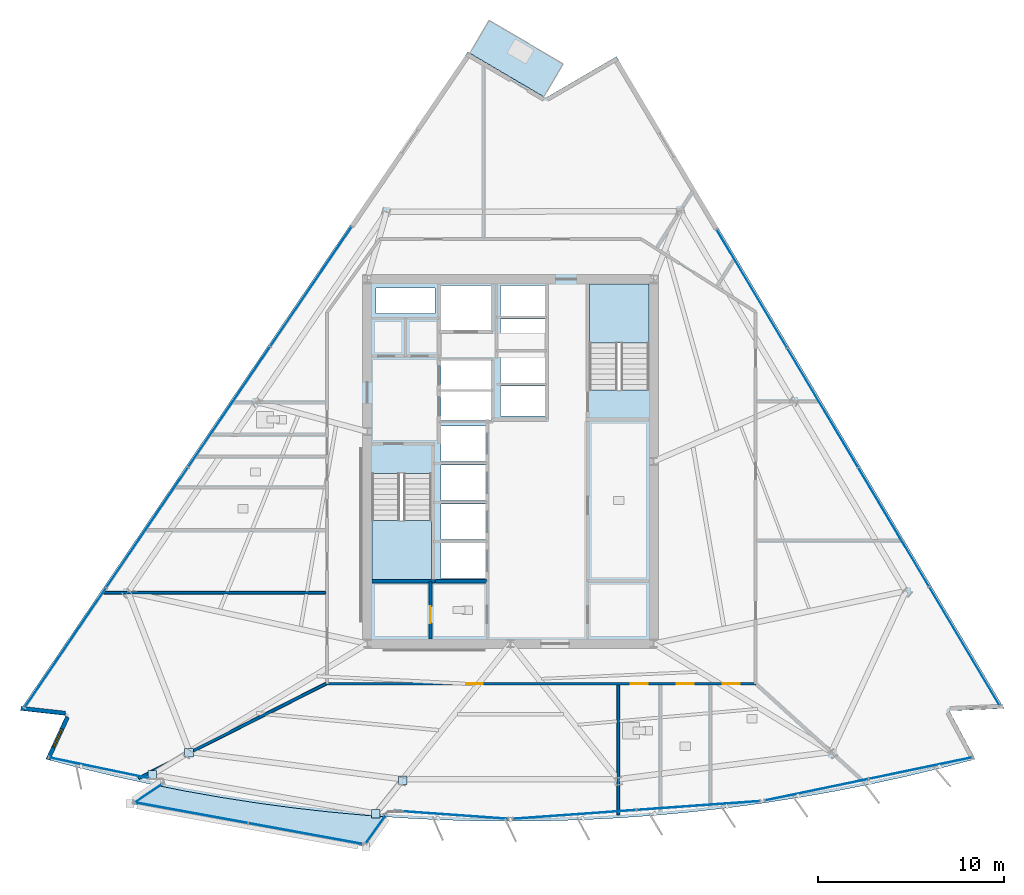
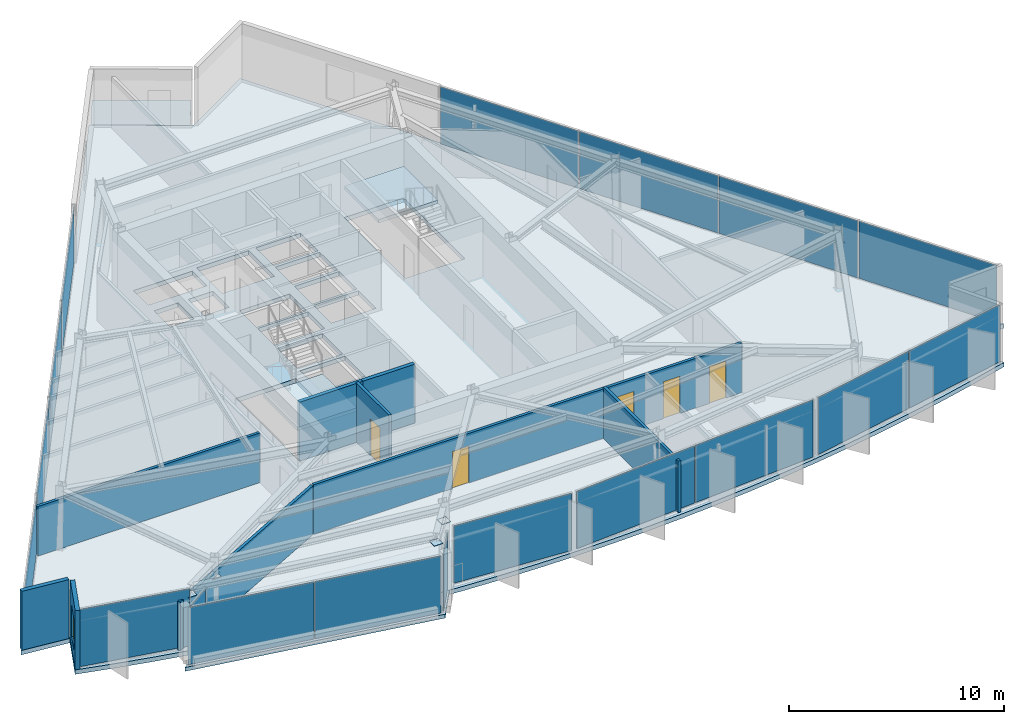
# One storey, part 7 of 14: 22 plates, 9 walls, 5 doors, 5 slabs, 1 window, 6 openings, 11 elements without a shape of their own.
"""IFC4 building model written with IfcOpenShell, lengths in metres."""

import ifcopenshell
import ifcopenshell.guid

model = None  # the IFC model being written
_history = None  # IfcOwnerHistory: only IFC2X3 demands one
_inside = {}  # id of a spatial element -> (the spatial element, [elements in it])
_under = {}  # id of a project, library or spatial element -> (it, [spatial elements below it])
_declared = {}  # id of a project -> (the project, [libraries it declares])
_typed = {}  # id of a type object -> (the type object, [elements of that type])
_made_of = {}  # id of a material, layer set ... -> (it, [elements and type objects made of it])


def new_model(schema):
    """Start an empty IFC model of exactly this schema.

    Asked for "IFC4X3", IfcOpenShell would pick the latest addendum, in which some entities
    have other attributes; the version numbers below select the first issue.
    IFC2X3 requires an IfcOwnerHistory on every rooted entity: one is made here for all.
    """
    global model, _history
    if schema == "IFC4X3":
        model = ifcopenshell.file(schema_version=(4, 3, 0, 0))
    else:
        model = ifcopenshell.file(schema=schema)
    _inside.clear()
    _under.clear()
    _declared.clear()
    _typed.clear()
    _made_of.clear()
    _history = None
    if model.schema == "IFC2X3":
        org = make("IfcOrganization", Name="unknown")
        user = make(
            "IfcPersonAndOrganization",
            ThePerson=make("IfcPerson", FamilyName="unknown"),
            TheOrganization=org,
        )
        app = make(
            "IfcApplication",
            ApplicationDeveloper=org,
            Version="unknown",
            ApplicationFullName="unknown",
            ApplicationIdentifier="unknown",
        )
        _history = make(
            "IfcOwnerHistory",
            OwningUser=user,
            OwningApplication=app,
            ChangeAction="ADDED",
            CreationDate=0,
        )
    return model


def make(cls, **values):
    """One entity of the class cls with the attributes given. An attribute that is None is left unset."""
    return model.create_entity(
        cls, **{name: value for name, value in values.items() if value is not None}
    )


def rooted(cls, **values):
    """An entity with a GlobalId (a new one), such as an element, a storey or a relation."""
    return make(cls, GlobalId=ifcopenshell.guid.new(), OwnerHistory=_history, **values)


def si_unit(unit_type, name, prefix=None):
    """IfcSIUnit, for example si_unit("LENGTHUNIT", "METRE", prefix="MILLI")."""
    return make("IfcSIUnit", UnitType=unit_type, Prefix=prefix, Name=name)


def assignment(units):
    """IfcUnitAssignment: the units of a project."""
    return None if units is None else make("IfcUnitAssignment", Units=units)


def point(xyz):
    """IfcCartesianPoint."""
    return None if xyz is None else make("IfcCartesianPoint", Coordinates=xyz)


def direction(xyz):
    """IfcDirection."""
    return None if xyz is None else make("IfcDirection", DirectionRatios=xyz)


def frame(location, z_axis=None, x_axis=None):
    """IfcAxis2Placement3D, a coordinate frame: its origin and axes. An axis left out is left unset."""
    return make(
        "IfcAxis2Placement3D",
        Location=point(location),
        Axis=direction(z_axis),
        RefDirection=direction(x_axis),
    )


def frame_2d(location, x_axis=None):
    """IfcAxis2Placement2D, a coordinate frame in the plane: its origin and x axis."""
    return make(
        "IfcAxis2Placement2D", Location=point(location), RefDirection=direction(x_axis)
    )


def origin():
    """The frame at (0, 0, 0) with its axes left unset."""
    return frame((0.0, 0.0, 0.0))


def origin_2d():
    """The frame at (0, 0) in the plane with its x axis left unset."""
    return frame_2d((0.0, 0.0))


def place(relative_to, where):
    """IfcLocalPlacement: puts the frame where relative to a parent placement (None: the world)."""
    return make(
        "IfcLocalPlacement", PlacementRelTo=relative_to, RelativePlacement=where
    )


def context(
    kind, dimensions, precision=None, world=None, true_north=None, identifier=None
):
    """IfcGeometricRepresentationContext, for example the 3D "Model" context."""
    return make(
        "IfcGeometricRepresentationContext",
        ContextIdentifier=identifier,
        ContextType=kind,
        CoordinateSpaceDimension=dimensions,
        Precision=precision,
        WorldCoordinateSystem=world,
        TrueNorth=true_north,
    )


def subcontext(parent, identifier, kind, view, scale=None):
    """IfcGeometricRepresentationSubContext, for example "Body" below "Model"."""
    return make(
        "IfcGeometricRepresentationSubContext",
        ContextIdentifier=identifier,
        ContextType=kind,
        ParentContext=parent,
        TargetScale=scale,
        TargetView=view,
    )


def project(units=None, contexts=None):
    """IfcProject with its units and contexts."""
    return rooted(
        "IfcProject",
        Name="project",
        RepresentationContexts=contexts,
        UnitsInContext=assignment(units),
    )


def spatial(cls, under=None, at=None, **own):
    """A site, building, storey or space (cls), placed at a placement, below another one or the project."""
    s = rooted(cls, ObjectPlacement=at, **own)
    if under is not None:
        _under.setdefault(under.id(), (under, []))[1].append(s)
    return s


def polyline(points):
    """IfcPolyline through the points."""
    return make("IfcPolyline", Points=[point(p) for p in points])


def profile(cls, at=None, kind="AREA", **sizes):
    """A parametric profile (cls). Its sizes go by their IFC names, for example OverallWidth=200.0."""
    return make(cls, ProfileType=kind, Position=at, **sizes)


def rectangle(**sizes):
    """IfcRectangleProfileDef."""
    return profile("IfcRectangleProfileDef", **sizes)


def outline(outer, holes=None, kind="AREA"):
    """IfcArbitraryClosedProfileDef: a profile drawn as a closed curve; with holes, ...WithVoids."""
    if holes is None:
        return make("IfcArbitraryClosedProfileDef", ProfileType=kind, OuterCurve=outer)
    return make(
        "IfcArbitraryProfileDefWithVoids",
        ProfileType=kind,
        OuterCurve=outer,
        InnerCurves=holes,
    )


def extrude(swept, where, along, depth):
    """IfcExtrudedAreaSolid: the profile swept, set in the frame where, extruded along a direction by depth."""
    return make(
        "IfcExtrudedAreaSolid",
        SweptArea=swept,
        Position=where,
        ExtrudedDirection=direction(along),
        Depth=depth,
    )


def shape(context_of_items, identifier, shape_type, items):
    """IfcShapeRepresentation: the items that make up one representation, for example the "Body"."""
    return make(
        "IfcShapeRepresentation",
        ContextOfItems=context_of_items,
        RepresentationIdentifier=identifier,
        RepresentationType=shape_type,
        Items=items,
    )


def material(Name=None, Category=None):
    """IfcMaterial."""
    return make("IfcMaterial", Name=Name, Category=Category)


def layer(
    of_material, thickness, ventilated=None, Name=None, Category=None, Priority=None
):
    """IfcMaterialLayer: one layer of a wall or slab, of a material (None: an air gap)."""
    return make(
        "IfcMaterialLayer",
        Material=of_material,
        LayerThickness=thickness,
        IsVentilated=ventilated,
        Name=Name,
        Category=Category,
        Priority=Priority,
    )


def layer_set(layers, Name=None):
    """IfcMaterialLayerSet."""
    return make("IfcMaterialLayerSet", MaterialLayers=layers, LayerSetName=Name)


def made_of(thing, what):
    """Note that an element or type object is made of a material, layer set ...; save() writes the relation."""
    if what is not None:
        _made_of.setdefault(what.id(), (what, []))[1].append(thing)
    return thing


def type_object(cls, material=None, **own):
    """A type object (cls), such as IfcWallType, which elements share."""
    return made_of(rooted(cls, **own), material)


def element(
    cls,
    number,
    at=None,
    inside=None,
    cuts=None,
    type_object=None,
    material=None,
    context=None,
    identifier="Body",
    shape_type=None,
    held_by="IfcProductDefinitionShape",
    body=None,
    shapes=None,
    **own,
):
    """One element of the class cls, such as IfcWall. Its Tag is "e" and its number.

    at: its placement. inside: the storey or other place that contains it. cuts: it is an
    opening in that element (IfcRelVoidsElement). A single representation is given by context,
    identifier, shape_type and body (its items); several are given by shapes. held_by: the class
    of the entity that holds the representations. save() writes the other relations.
    """
    e = rooted(cls, Tag="e%d" % number, ObjectPlacement=at, **own)
    if body is not None:
        shapes = [shape(context, identifier, shape_type, body)]
    if shapes is not None:
        e.Representation = make(held_by, Representations=shapes)
    if inside is not None:
        _inside.setdefault(inside.id(), (inside, []))[1].append(e)
    if cuts is not None:
        rooted(
            "IfcRelVoidsElement", RelatingBuildingElement=cuts, RelatedOpeningElement=e
        )
    if type_object is not None:
        _typed.setdefault(type_object.id(), (type_object, []))[1].append(e)
    return made_of(e, material)


def fill(opening, filler):
    """IfcRelFillsElement: the door or window that sits in an opening."""
    return rooted(
        "IfcRelFillsElement",
        RelatingOpeningElement=opening,
        RelatedBuildingElement=filler,
    )


def aggregate(whole, parts):
    """IfcRelAggregates: a whole, such as a stair, and the parts it consists of."""
    return rooted("IfcRelAggregates", RelatingObject=whole, RelatedObjects=parts)


def save(model, path):
    """Write the relations noted so far, then the file.

    IfcRelAggregates (storeys below a building ...), IfcRelContainedInSpatialStructure (elements
    in a storey), IfcRelDefinesByType, IfcRelAssociatesMaterial and IfcRelDeclares: one each for
    every whole, place, type object, material and project.
    """
    for whole, parts in _under.values():
        aggregate(whole, parts)
    for where, things in _inside.values():
        rooted(
            "IfcRelContainedInSpatialStructure",
            RelatedElements=things,
            RelatingStructure=where,
        )
    for kind, things in _typed.values():
        rooted("IfcRelDefinesByType", RelatedObjects=things, RelatingType=kind)
    for what, things in _made_of.values():
        rooted("IfcRelAssociatesMaterial", RelatedObjects=things, RelatingMaterial=what)
    for by, libraries in _declared.values():
        rooted("IfcRelDeclares", RelatingContext=by, RelatedDefinitions=libraries)
    model.write(path)


model = new_model("IFC4")

# Units and contexts
model_context = context("Model", 3, precision=1e-05, world=origin(), true_north=direction((0.0, 1.0)))
body_context = subcontext(model_context, "Body", "Model", "MODEL_VIEW")
ifc_project = project(units=[si_unit("LENGTHUNIT", "METRE"), si_unit("AREAUNIT", "SQUARE_METRE"), si_unit("VOLUMEUNIT", "CUBIC_METRE"), si_unit("PLANEANGLEUNIT", "RADIAN"), si_unit("MASSUNIT", "GRAM", prefix="KILO")], contexts=[model_context])

# Site, building, storey
site_placement = place(None, origin())
site = spatial("IfcSite", under=ifc_project, at=site_placement, CompositionType="ELEMENT")
building_placement = place(site_placement, origin())
building = spatial("IfcBuilding", under=site, at=building_placement, Name="Savorim Split Tower", CompositionType="ELEMENT")
storey_placement = place(building_placement, frame((0.0, 0.0, 178.199951171875)))
storey = spatial("IfcBuildingStorey", under=building, at=storey_placement, Name="L47", CompositionType="ELEMENT", Elevation=178.199951171875)

# Curtain wall, plate
ifc_material_1 = material(Name="Dark Ceramic-Fritted Insulated Glass", Category="glass")
curtain_wall_type_1 = type_object("IfcCurtainWallType", Name="CW-TWR-FRIT-B", PredefinedType="NOTDEFINED", material=ifc_material_1)
curtain_wall_1_placement = place(storey_placement, origin())
curtain_wall_1 = element("IfcCurtainWall", 1, at=curtain_wall_1_placement, inside=storey, type_object=curtain_wall_type_1, Name="L47 Curtain Wall CW-L47-SF1A", PredefinedType="NOTDEFINED")
ifc_layer_1 = layer(ifc_material_1, 0.02587890625)
ifc_layer_set_1 = layer_set([ifc_layer_1], Name="CWP-FRITB-26")
plate_type_1 = type_object("IfcPlateType", Name="CWP-FRITB-26", PredefinedType="CURTAIN_PANEL", material=ifc_layer_set_1)
plate_1_placement = place(storey_placement, frame((-22.120849609375, -16.081298828125, 0.050048828125), z_axis=(0.0, 0.0, 1.0), x_axis=(0.979132901408, -0.203220966883, 0.0)))
plate_1 = element("IfcPlate", 2, at=plate_1_placement, type_object=plate_type_1, Name="CW-03 panel 1.1", PredefinedType="CURTAIN_PANEL", context=body_context, shape_type="SweptSolid", body=[
    extrude(rectangle(XDim=5.4951171875, YDim=0.02587890625, at=origin_2d()), origin(), (0.0, 0.0, 1.0), 3.25),
])
aggregate(curtain_wall_1, [plate_1])

curtain_wall_2_placement = place(storey_placement, origin())
curtain_wall_2 = element("IfcCurtainWall", 3, at=curtain_wall_2_placement, inside=storey, type_object=curtain_wall_type_1, Name="L47 Curtain Wall CW-L47-SF2A", PredefinedType="NOTDEFINED")
plate_2_placement = place(storey_placement, frame((-3.1806640625, -18.603515625, 0.050048828125), z_axis=(0.0, 0.0, 1.0), x_axis=(0.99743619777, -0.07156138189, 0.0)))
plate_2 = element("IfcPlate", 4, at=plate_2_placement, type_object=plate_type_1, Name="CW-03 panel 1.1", PredefinedType="CURTAIN_PANEL", context=body_context, shape_type="SweptSolid", body=[
    extrude(rectangle(XDim=6.07470703125, YDim=0.02587890625, at=origin_2d()), origin(), (0.0, 0.0, 1.0), 3.25),
])
aggregate(curtain_wall_2, [plate_2])

# Curtain wall, plates
curtain_wall_3_placement = place(storey_placement, origin())
curtain_wall_3 = element("IfcCurtainWall", 5, at=curtain_wall_3_placement, inside=storey, type_object=curtain_wall_type_1, Name="L47 Curtain Wall CW-L47-SF3A", PredefinedType="NOTDEFINED")
plate_3_placement = place(storey_placement, frame((3.448974609375, -18.584228515625, 0.050048828125), z_axis=(0.0, 0.0, 1.0), x_axis=(0.997436348097, 0.07155928658, 0.0)))
plate_3 = element("IfcPlate", 6, at=plate_3_placement, type_object=plate_type_1, Name="CW-03 panel 1.1", PredefinedType="CURTAIN_PANEL", context=body_context, shape_type="SweptSolid", body=[
    extrude(rectangle(XDim=6.61279296875, YDim=0.02587890625, at=origin_2d()), origin(), (0.0, 0.0, 1.0), 3.25),
])
plate_4_placement = place(storey_placement, frame((10.104736328125, -18.106689453125, 0.050048828125), z_axis=(0.0, 0.0, 1.0), x_axis=(0.997436348097, 0.07155928658, 0.0)))
plate_4 = element("IfcPlate", 7, at=plate_4_placement, type_object=plate_type_1, Name="CW-03 panel 2.1", PredefinedType="CURTAIN_PANEL", context=body_context, shape_type="SweptSolid", body=[
    extrude(rectangle(XDim=6.61279296875, YDim=0.02587890625, at=origin_2d()), origin(), (0.0, 0.0, 1.0), 3.25),
])
aggregate(curtain_wall_3, [plate_3, plate_4])

curtain_wall_4_placement = place(storey_placement, origin())
curtain_wall_4 = element("IfcCurtainWall", 8, at=curtain_wall_4_placement, inside=storey, type_object=curtain_wall_type_1, Name="L47 Curtain Wall CW-L47-SF4A", PredefinedType="NOTDEFINED")
plate_5_placement = place(storey_placement, frame((16.46533203125, -17.255126953125, 0.050048828125), z_axis=(0.0, 0.0, 1.0), x_axis=(0.979133837467, 0.20321645683, 0.0)))
plate_5 = element("IfcPlate", 9, at=plate_5_placement, type_object=plate_type_1, Name="CW-03 panel 1.1", PredefinedType="CURTAIN_PANEL", context=body_context, shape_type="SweptSolid", body=[
    extrude(rectangle(XDim=5.642333984375, YDim=0.02587890625, at=origin_2d()), origin(), (0.0, 0.0, 1.0), 3.25),
])
plate_6_placement = place(storey_placement, frame((22.048583984375, -16.09619140625, 0.050048828125), z_axis=(0.0, 0.0, 1.0), x_axis=(0.979133837467, 0.20321645683, 0.0)))
plate_6 = element("IfcPlate", 10, at=plate_6_placement, type_object=plate_type_1, Name="CW-03 panel 2.1", PredefinedType="CURTAIN_PANEL", context=body_context, shape_type="SweptSolid", body=[
    extrude(rectangle(XDim=5.642333984375, YDim=0.02587890625, at=origin_2d()), origin(), (0.0, 0.0, 1.0), 3.25),
])
aggregate(curtain_wall_4, [plate_5, plate_6])

curtain_wall_5_placement = place(storey_placement, origin())
curtain_wall_5 = element("IfcCurtainWall", 11, at=curtain_wall_5_placement, inside=storey, type_object=curtain_wall_type_1, Name="L47 Curtain Wall CW-L47-EAST", PredefinedType="NOTDEFINED")
plate_7_placement = place(storey_placement, frame((24.410400390625, -9.536865234375, 0.050048828125), z_axis=(0.0, 0.0, 1.0), x_axis=(-0.511093786039, 0.85952495128, 0.0)))
plate_7 = element("IfcPlate", 12, at=plate_7_placement, type_object=plate_type_1, Name="CW-03 panel 1.1", PredefinedType="CURTAIN_PANEL", context=body_context, shape_type="SweptSolid", body=[
    extrude(rectangle(XDim=7.37353515625, YDim=0.02587890625, at=origin_2d()), origin(), (0.0, 0.0, 1.0), 3.25),
])
plate_8_placement = place(storey_placement, frame((20.603515625, -3.134765625, 0.050048828125), z_axis=(0.0, 0.0, 1.0), x_axis=(-0.511093786039, 0.85952495128, 0.0)))
plate_8 = element("IfcPlate", 13, at=plate_8_placement, type_object=plate_type_1, Name="CW-03 panel 2.1", PredefinedType="CURTAIN_PANEL", context=body_context, shape_type="SweptSolid", body=[
    extrude(rectangle(XDim=7.403564453125, YDim=0.02587890625, at=origin_2d()), origin(), (0.0, 0.0, 1.0), 3.25),
])
plate_9_placement = place(storey_placement, frame((16.7890625, 3.2802734375, 0.050048828125), z_axis=(0.0, 0.0, 1.0), x_axis=(-0.511093786039, 0.85952495128, 0.0)))
plate_9 = element("IfcPlate", 14, at=plate_9_placement, type_object=plate_type_1, Name="CW-03 panel 3.1", PredefinedType="CURTAIN_PANEL", context=body_context, shape_type="SweptSolid", body=[
    extrude(rectangle(XDim=7.403564453125, YDim=0.02587890625, at=origin_2d()), origin(), (0.0, 0.0, 1.0), 3.25),
])
plate_10_placement = place(storey_placement, frame((12.982177734375, 9.682373046875, 0.050048828125), z_axis=(0.0, 0.0, 1.0), x_axis=(-0.511093786039, 0.85952495128, 0.0)))
plate_10 = element("IfcPlate", 15, at=plate_10_placement, type_object=plate_type_1, Name="CW-03 panel 4.1", PredefinedType="CURTAIN_PANEL", context=body_context, shape_type="SweptSolid", body=[
    extrude(rectangle(XDim=7.37353515625, YDim=0.02587890625, at=origin_2d()), origin(), (0.0, 0.0, 1.0), 3.25),
])
aggregate(curtain_wall_5, [plate_7, plate_8, plate_9, plate_10])

curtain_wall_6_placement = place(storey_placement, origin())
curtain_wall_6 = element("IfcCurtainWall", 16, at=curtain_wall_6_placement, inside=storey, type_object=curtain_wall_type_1, Name="L47 Curtain Wall CW-L47-WEST", PredefinedType="NOTDEFINED")
plate_11_placement = place(storey_placement, frame((-10.730224609375, 9.800048828125, 0.050048828125), z_axis=(0.0, 0.0, 1.0), x_axis=(-0.562467714384, -0.826819248854, 0.0)))
plate_11 = element("IfcPlate", 17, at=plate_11_placement, type_object=plate_type_1, Name="CW-03 panel 1.1", PredefinedType="CURTAIN_PANEL", context=body_context, shape_type="SweptSolid", body=[
    extrude(rectangle(XDim=7.74951171875, YDim=0.02587890625, at=origin_2d()), origin(), (0.0, 0.0, 1.0), 3.25),
])
plate_12_placement = place(storey_placement, frame((-15.13134765625, 3.33056640625, 0.050048828125), z_axis=(0.0, 0.0, 1.0), x_axis=(-0.562467714384, -0.826819248854, 0.0)))
plate_12 = element("IfcPlate", 18, at=plate_12_placement, type_object=plate_type_1, Name="CW-03 panel 2.1", PredefinedType="CURTAIN_PANEL", context=body_context, shape_type="SweptSolid", body=[
    extrude(rectangle(XDim=7.779541015625, YDim=0.02587890625, at=origin_2d()), origin(), (0.0, 0.0, 1.0), 3.25),
])
plate_13_placement = place(storey_placement, frame((-19.540771484375, -3.1513671875, 0.050048828125), z_axis=(0.0, 0.0, 1.0), x_axis=(-0.562467714384, -0.826819248854, 0.0)))
plate_13 = element("IfcPlate", 19, at=plate_13_placement, type_object=plate_type_1, Name="CW-03 panel 3.1", PredefinedType="CURTAIN_PANEL", context=body_context, shape_type="SweptSolid", body=[
    extrude(rectangle(XDim=7.779541015625, YDim=0.02587890625, at=origin_2d()), origin(), (0.0, 0.0, 1.0), 3.25),
])
plate_14_placement = place(storey_placement, frame((-23.94189453125, -9.620849609375, 0.050048828125), z_axis=(0.0, 0.0, 1.0), x_axis=(-0.562467714384, -0.826819248854, 0.0)))
plate_14 = element("IfcPlate", 20, at=plate_14_placement, type_object=plate_type_1, Name="CW-03 panel 4.1", PredefinedType="CURTAIN_PANEL", context=body_context, shape_type="SweptSolid", body=[
    extrude(rectangle(XDim=7.74951171875, YDim=0.02587890625, at=origin_2d()), origin(), (0.0, 0.0, 1.0), 3.25),
])
aggregate(curtain_wall_6, [plate_11, plate_12, plate_13, plate_14])

curtain_wall_type_2 = type_object("IfcCurtainWallType", Name="CW-BAY-LOUNGE", PredefinedType="NOTDEFINED", material=ifc_material_1)
curtain_wall_7_placement = place(storey_placement, origin())
curtain_wall_7 = element("IfcCurtainWall", 21, at=curtain_wall_7_placement, inside=storey, type_object=curtain_wall_type_2, Name="L47 Curtain Wall CW-L47-BAYF", PredefinedType="NOTDEFINED")
ifc_material_2 = material(Name="Low-E Operable Double Glazing", Category="glass")
ifc_layer_2 = layer(ifc_material_2, 0.031982421875)
ifc_layer_set_2 = layer_set([ifc_layer_2], Name="CWP-POD-32")
plate_type_2 = type_object("IfcPlateType", Name="CWP-POD-32", PredefinedType="CURTAIN_PANEL", material=ifc_layer_set_2)
plate_15_placement = place(storey_placement, frame((-17.201171875, -18.489501953125, 0.05517578125), z_axis=(0.0, 0.0, 1.0), x_axis=(0.983754673364, -0.17951808442, 0.0)))
plate_15 = element("IfcPlate", 22, at=plate_15_placement, type_object=plate_type_2, Name="CW-04 panel 1.1", PredefinedType="CURTAIN_PANEL", context=body_context, shape_type="SweptSolid", body=[
    extrude(rectangle(XDim=6.22412109375, YDim=0.031982421875, at=origin_2d()), origin(), (0.0, 0.0, 1.0), 3.239990234375),
])
plate_16_placement = place(storey_placement, frame((-11.01416015625, -19.618408203125, 0.05517578125), z_axis=(0.0, 0.0, 1.0), x_axis=(0.983754673364, -0.17951808442, 0.0)))
plate_16 = element("IfcPlate", 23, at=plate_16_placement, type_object=plate_type_2, Name="CW-04 panel 2.1", PredefinedType="CURTAIN_PANEL", context=body_context, shape_type="SweptSolid", body=[
    extrude(rectangle(XDim=6.22412109375, YDim=0.031982421875, at=origin_2d()), origin(), (0.0, 0.0, 1.0), 3.239990234375),
])
aggregate(curtain_wall_7, [plate_15, plate_16])

# Curtain wall, plate
curtain_wall_8_placement = place(storey_placement, origin())
curtain_wall_8 = element("IfcCurtainWall", 24, at=curtain_wall_8_placement, inside=storey, type_object=curtain_wall_type_2, Name="L47 Curtain Wall CW-L47-BAYW", PredefinedType="NOTDEFINED")
plate_17_placement = place(storey_placement, frame((-19.4755859375, -17.45166015625, 0.05517578125), z_axis=(0.0, 0.0, 1.0), x_axis=(-0.829416830494, -0.558630218743, 0.0)))
plate_17 = element("IfcPlate", 25, at=plate_17_placement, type_object=plate_type_2, Name="CW-04 panel 1.1", PredefinedType="CURTAIN_PANEL", context=body_context, shape_type="SweptSolid", body=[
    extrude(rectangle(XDim=1.705078125, YDim=0.031982421875, at=origin_2d()), origin(), (0.0, 0.0, 1.0), 3.239990234375),
])
aggregate(curtain_wall_8, [plate_17])

curtain_wall_9_placement = place(storey_placement, origin())
curtain_wall_9 = element("IfcCurtainWall", 26, at=curtain_wall_9_placement, inside=storey, type_object=curtain_wall_type_2, Name="L47 Curtain Wall CW-L47-BAYE", PredefinedType="NOTDEFINED")
plate_18_placement = place(storey_placement, frame((-7.248291015625, -19.3798828125, 0.05517578125), z_axis=(0.0, 0.0, 1.0), x_axis=(0.581096777176, 0.813834464468, 0.0)))
plate_18 = element("IfcPlate", 27, at=plate_18_placement, type_object=plate_type_2, Name="CW-04 panel 1.1", PredefinedType="CURTAIN_PANEL", context=body_context, shape_type="SweptSolid", body=[
    extrude(rectangle(XDim=1.81005859375, YDim=0.031982421875, at=origin_2d()), origin(), (0.0, 0.0, 1.0), 3.239990234375),
])
aggregate(curtain_wall_9, [plate_18])

# Plates
ifc_material_3 = material(Name="Steel S460", Category="steel")
ifc_layer_3 = layer(ifc_material_3, 0.02490234375)
ifc_layer_set_3 = layer_set([ifc_layer_3], Name="PLT-NODE-CN1")
plate_type_3 = type_object("IfcPlateType", Name="PLT-NODE-CN1", PredefinedType="SHEET", material=ifc_layer_set_3)
for number, where, z_axis, x_axis, name in (
    (28, (-17.2880859375, -15.259765625, 2.4375), (0.0, 0.0, 1.0), (1.0, 0.0, 0.0), "L47 Bay Strut Column Gusset Plate 1"),
    (29, (-19.271728515625, -16.443115234375, 2.8076171875), (0.0, 0.0, 1.0), (1.0, 0.0, 0.0), "L47 Bay Strut Tip Gusset Plate 1"),
    (30, (-5.794189453125, -16.735595703125, 2.4375), (0.0, 0.0, 1.0), (1.0, 0.0, 0.0), "L47 Bay Strut Column Gusset Plate 2"),
    (31, (-7.24658203125, -18.5361328125, 2.8076171875), (0.0, 0.0, 1.0), (1.0, 0.0, 0.0), "L47 Bay Strut Tip Gusset Plate 2"),
):
    element("IfcPlate", number, at=place(storey_placement, frame(where, z_axis=z_axis, x_axis=x_axis)), inside=storey, type_object=plate_type_3, Name=name, PredefinedType="SHEET", context=body_context, shape_type="SweptSolid", body=[
        extrude(rectangle(XDim=0.4599609375, YDim=0.4599609375, at=origin_2d()), origin(), (0.0, 0.0, 1.0), 0.02490234375),
    ])

# Slabs
ifc_material_4 = material(Name="Concrete C50/60", Category="concrete")
ifc_layer_4 = layer(ifc_material_4, 0.219970703125)
ifc_layer_set_4 = layer_set([ifc_layer_4], Name="SLB-BAL-220")
slab_type_1 = type_object("IfcSlabType", Name="SLB-BAL-220", PredefinedType="FLOOR", material=ifc_layer_set_4)
slab_1_placement = place(storey_placement, frame((0.0, 0.0, -0.219970703125)))
element("IfcSlab", 32, at=slab_1_placement, inside=storey, type_object=slab_type_1, Name="L47 Cantilevered Shared Kitchen Lounge Slab", PredefinedType="FLOOR", context=body_context, shape_type="SweptSolid", body=[
    extrude(outline(polyline([(-6.650146484375, -18.714111328125), (-7.772705078125, -18.6337890625), (-9.709716796875, -18.454833984375), (-11.642578125, -18.236328125), (-13.57080078125, -17.978515625), (-15.4931640625, -17.680908203125), (-17.4091796875, -17.34423828125), (-19.023193359375, -17.026611328125), (-20.462646484375, -17.995849609375), (-7.78857421875, -20.30859375), (-6.650146484375, -18.714111328125)])), origin(), (0.0, 0.0, 1.0), 0.219970703125),
])
slab_2_placement = place(storey_placement, frame((0.0, 0.0, -0.219970703125)))
element("IfcSlab", 33, at=slab_2_placement, inside=storey, type_object=slab_type_1, Name="L47 Notched Corner Planted Tree Balcony Slab", PredefinedType="FLOOR", context=body_context, shape_type="SweptSolid", body=[
    extrude(outline(polyline([(-2.189453125, 22.35595703125), (1.791015625, 20.0166015625), (2.8271484375, 21.779541015625), (-1.1533203125, 24.119140625), (-2.189453125, 22.35595703125)])), origin(), (0.0, 0.0, 1.0), 0.219970703125),
])

# Stair, slab
stair_type = type_object("IfcStairType", Name="STR-DOG-3600", PredefinedType="HALF_TURN_STAIR", material=ifc_material_4)
stair_1_placement = place(storey_placement, origin())
stair_1 = element("IfcStair", 34, at=stair_1_placement, inside=storey, type_object=stair_type, Name="L47 Core Protected Exit Stair ST-1", PredefinedType="HALF_TURN_STAIR")
ifc_layer_5 = layer(ifc_material_4, 0.199951171875)
ifc_layer_set_5 = layer_set([ifc_layer_5], Name="SLB-LND-200")
slab_type_2 = type_object("IfcSlabType", Name="SLB-LND-200", PredefinedType="LANDING", material=ifc_layer_set_5)
slab_3_placement = place(storey_placement, frame((0.0, 0.0, 1.60009765625)))
slab_3 = element("IfcSlab", 35, at=slab_3_placement, type_object=slab_type_2, Name="ST-1 landing 1", PredefinedType="LANDING", context=body_context, shape_type="SweptSolid", body=[
    extrude(outline(polyline([(-7.449951171875, -2.77001953125), (-7.449951171875, -5.949951171875), (-4.25, -5.949951171875), (-4.25, -2.77001953125), (-7.449951171875, -2.77001953125)])), origin(), (0.0, 0.0, 1.0), 0.199951171875),
])
aggregate(stair_1, [slab_3])

stair_2_placement = place(storey_placement, origin())
stair_2 = element("IfcStair", 36, at=stair_2_placement, inside=storey, type_object=stair_type, Name="L47 Core Protected Exit Stair ST-2", PredefinedType="HALF_TURN_STAIR")
slab_4_placement = place(storey_placement, frame((0.0, 0.0, 1.60009765625)))
slab_4 = element("IfcSlab", 37, at=slab_4_placement, type_object=slab_type_2, Name="ST-2 landing 1", PredefinedType="LANDING", context=body_context, shape_type="SweptSolid", body=[
    extrude(outline(polyline([(7.449951171875, 6.77001953125), (7.449951171875, 9.949951171875), (4.25, 9.949951171875), (4.25, 6.77001953125), (7.449951171875, 6.77001953125)])), origin(), (0.0, 0.0, 1.0), 0.199951171875),
])
aggregate(stair_2, [slab_4])

# Slab
ifc_layer_6 = layer(ifc_material_4, 0.25)
ifc_layer_set_6 = layer_set([ifc_layer_6], Name="SLB-TWR-250")
slab_type_3 = type_object("IfcSlabType", Name="SLB-TWR-250", PredefinedType="FLOOR", material=ifc_layer_set_6)
slab_5_placement = place(storey_placement, frame((0.0, 0.0, -0.25)))
element("IfcSlab", 38, at=slab_5_placement, inside=storey, type_object=slab_type_3, Name="L47 Structural Floor Slab", PredefinedType="FLOOR", context=body_context, shape_type="SweptSolid", body=[
    extrude(outline(polyline([(-24.991943359375, -15.60791015625), (-23.110107421875, -16.10009765625), (-21.21826171875, -16.5537109375), (-19.31787109375, -16.968505859375), (-17.4091796875, -17.34423828125), (-15.4931640625, -17.680908203125), (-13.57080078125, -17.978515625), (-11.642578125, -18.236328125), (-9.709716796875, -18.454833984375), (-7.772705078125, -18.6337890625), (-5.832275390625, -18.77294921875), (-3.8896484375, -18.872314453125), (-1.9453125, -18.93212890625), (0.0, -18.951904296875), (1.9453125, -18.93212890625), (3.8896484375, -18.872314453125), (5.832275390625, -18.77294921875), (7.772705078125, -18.6337890625), (9.709716796875, -18.454833984375), (11.642578125, -18.236328125), (13.57080078125, -17.978515625), (15.4931640625, -17.680908203125), (17.4091796875, -17.34423828125), (19.31787109375, -16.968505859375), (21.21826171875, -16.5537109375), (23.110107421875, -16.10009765625), (24.991943359375, -15.60791015625), (23.59814453125, -13.01025390625), (26.541015625, -12.885009765625), (5.697021484375, 22.1689453125), (1.89208984375, 19.951416015625), (-2.29541015625, 22.41259765625), (-26.378173828125, -12.988525390625), (-23.914794921875, -13.263671875), (-24.991943359375, -15.60791015625)]), holes=[polyline([(-7.449951171875, -0.25390625), (-7.449951171875, -5.949951171875), (-4.25, -5.949951171875), (-4.25, -0.25390625), (-7.449951171875, -0.25390625)]), polyline([(7.449951171875, 4.25390625), (7.449951171875, 9.949951171875), (4.25, 9.949951171875), (4.25, 4.25390625), (7.449951171875, 4.25390625)]), polyline([(-3.75, -5.89990234375), (-1.35009765625, -5.89990234375), (-1.35009765625, -4.0), (-3.75, -4.0), (-3.75, -5.89990234375)]), polyline([(-3.75, -3.800048828125), (-1.35009765625, -3.800048828125), (-1.35009765625, -1.89990234375), (-3.75, -1.89990234375), (-3.75, -3.800048828125)]), polyline([(-3.75, -1.699951171875), (-1.35009765625, -1.699951171875), (-1.35009765625, 0.199951171875), (-3.75, 0.199951171875), (-3.75, -1.699951171875)]), polyline([(-3.75, 0.39990234375), (-1.35009765625, 0.39990234375), (-1.35009765625, 2.300048828125), (-3.75, 2.300048828125), (-3.75, 0.39990234375)]), polyline([(-0.550048828125, 2.830078125), (1.85009765625, 2.830078125), (1.85009765625, 4.469970703125), (-0.550048828125, 4.469970703125), (-0.550048828125, 2.830078125)]), polyline([(-0.550048828125, 4.6298828125), (1.85009765625, 4.6298828125), (1.85009765625, 6.27001953125), (-0.550048828125, 6.27001953125), (-0.550048828125, 4.6298828125)]), polyline([(-0.550048828125, 6.429931640625), (1.85009765625, 6.429931640625), (1.85009765625, 8.070068359375), (-0.550048828125, 8.070068359375), (-0.550048828125, 6.429931640625)]), polyline([(-0.550048828125, 8.22998046875), (1.85009765625, 8.22998046875), (1.85009765625, 9.8701171875), (-0.550048828125, 9.8701171875), (-0.550048828125, 8.22998046875)]), polyline([(-3.75, 2.60009765625), (-1.050048828125, 2.60009765625), (-1.050048828125, 4.159912109375), (-3.75, 4.159912109375), (-3.75, 2.60009765625)]), polyline([(-3.75, 4.280029296875), (-1.050048828125, 4.280029296875), (-1.050048828125, 5.840087890625), (-3.75, 5.840087890625), (-3.75, 4.280029296875)]), polyline([(-3.75, 7.449951171875), (-0.949951171875, 7.449951171875), (-0.949951171875, 9.85009765625), (-3.75, 9.85009765625), (-3.75, 7.449951171875)]), polyline([(-7.219970703125, 6.320068359375), (-5.919921875, 6.320068359375), (-5.919921875, 7.820068359375), (-7.219970703125, 7.820068359375), (-7.219970703125, 6.320068359375)]), polyline([(-5.3798828125, 6.320068359375), (-4.050048828125, 6.320068359375), (-4.050048828125, 7.820068359375), (-5.3798828125, 7.820068359375), (-5.3798828125, 6.320068359375)]), polyline([(-7.219970703125, 8.360107421875), (-4.050048828125, 8.360107421875), (-4.050048828125, 9.719970703125), (-7.219970703125, 9.719970703125), (-7.219970703125, 8.360107421875)])]), origin(), (0.0, 0.0, 1.0), 0.25),
])

# Wall
ifc_material_5 = material(Name="Precast concrete C40/50", Category="concrete")
ifc_layer_7 = layer(ifc_material_5, 0.219970703125)
ifc_layer_set_7 = layer_set([ifc_layer_7], Name="WAL-EXT-CRN220")
wall_type_1 = type_object("IfcWallType", Name="WAL-EXT-CRN220", PredefinedType="SOLIDWALL", material=ifc_layer_set_7)
wall_1_placement = place(storey_placement, frame((-23.94140625, -13.139892578125, 0.0), z_axis=(0.0, 0.0, 1.0), x_axis=(-0.993825249999, 0.110956624245, 0.0)))
element("IfcWall", 39, at=wall_1_placement, inside=storey, type_object=wall_type_1, Name="L47 Notched Corner Facade Wall SW1", PredefinedType="SOLIDWALL", context=body_context, shape_type="SweptSolid", body=[
    extrude(rectangle(XDim=2.3984375, YDim=0.219970703125, at=frame_2d((1.19921875, 0.0))), origin(), (0.0, 0.0, 1.0), 3.35009765625),
])

# Wall, opening, window
wall_2_placement = place(storey_placement, frame((-24.8662109375, -15.621826171875, 0.0), z_axis=(0.0, 0.0, 1.0), x_axis=(0.417478378529, 0.908686856657, 0.0)))
wall_2 = element("IfcWall", 40, at=wall_2_placement, inside=storey, type_object=wall_type_1, Name="L47 Notched Corner Facade Wall SW", PredefinedType="SOLIDWALL", context=body_context, shape_type="SweptSolid", body=[
    extrude(rectangle(XDim=2.5, YDim=0.219970703125, at=frame_2d((1.25, 0.0))), origin(), (0.0, 0.0, 1.0), 3.35009765625),
])
opening_1_placement = place(wall_2_placement, frame((0.699951171875, 0.0, 0.6201171875)))
opening_1 = element("IfcOpeningElement", 41, at=opening_1_placement, cuts=wall_2, Name="Opening WN-09", PredefinedType="OPENING", context=body_context, shape_type="SweptSolid", body=[
    extrude(rectangle(XDim=1.10009765625, YDim=1.800048828125, at=frame_2d((0.550048828125, 0.89990234375))), frame((0.0, 0.119873046875, 0.0), z_axis=(0.0, -1.0, 0.0), x_axis=(1.0, 0.0, 0.0)), (0.0, 0.0, 1.0), 0.239990234375),
])
window_type = type_object("IfcWindowType", Name="WIN-TWR-1100x1800", PartitioningType="SINGLE_PANEL", PredefinedType="WINDOW", material=ifc_material_2)
window_placement = place(opening_1_placement, origin())
window = element("IfcWindow", 42, at=window_placement, inside=storey, type_object=window_type, Name="L47 Operable Corner Window SW", OverallHeight=1.800048828125, OverallWidth=1.10009765625, PartitioningType="SINGLE_PANEL", PredefinedType="WINDOW", context=body_context, shape_type="SweptSolid", body=[
    extrude(rectangle(XDim=1.10009765625, YDim=1.800048828125, at=frame_2d((0.550048828125, 0.89990234375))), frame((0.0, 0.030029296875, 0.0), z_axis=(0.0, -1.0, 0.0), x_axis=(1.0, 0.0, 0.0)), (0.0, 0.0, 1.0), 0.06005859375),
])
fill(opening_1, window)

# Walls
ifc_layer_8 = layer(ifc_material_4, 0.199951171875)
ifc_layer_set_8 = layer_set([ifc_layer_8], Name="WAL-INT-RC200")
wall_type_2 = type_object("IfcWallType", Name="WAL-INT-RC200", PredefinedType="SOLIDWALL", material=ifc_layer_set_8)
wall_3_placement = place(storey_placement, frame((-7.449951171875, -6.050048828125, 0.0), z_axis=(0.0, 0.0, 1.0), x_axis=(1.0, 0.0, 0.0)))
element("IfcWall", 43, at=wall_3_placement, inside=storey, type_object=wall_type_2, Name="L47 Structural Shaft Wall W-L47-KSEP-W", PredefinedType="SOLIDWALL", context=body_context, shape_type="SweptSolid", body=[
    extrude(rectangle(XDim=3.39990234375, YDim=0.199951171875, at=frame_2d((1.699951171875, 0.0))), origin(), (0.0, 0.0, 1.0), 3.35009765625),
])
wall_4_placement = place(storey_placement, frame((-4.0400390625, -6.050048828125, 0.0), z_axis=(0.0, 0.0, 1.0), x_axis=(1.0, 0.0, 0.0)))
element("IfcWall", 44, at=wall_4_placement, inside=storey, type_object=wall_type_2, Name="L47 Partition W-L47-KSEP-W2", PredefinedType="SOLIDWALL", context=body_context, shape_type="SweptSolid", body=[
    extrude(rectangle(XDim=2.7900390625, YDim=0.199951171875, at=frame_2d((1.39501953125, 0.0))), origin(), (0.0, 0.0, 1.0), 3.35009765625),
])

# Wall, opening, door
ifc_material_6 = material(Name="Acoustic Gypsum Partition Board")
ifc_layer_9 = layer(ifc_material_6, 0.14990234375)
ifc_layer_set_9 = layer_set([ifc_layer_9], Name="WAL-PAR-150")
wall_type_3 = type_object("IfcWallType", Name="WAL-PAR-150", PredefinedType="PARTITIONING", material=ifc_layer_set_9)
wall_5_placement = place(storey_placement, frame((-4.300048828125, -9.14501953125, 0.0), z_axis=(0.0, 0.0, 1.0), x_axis=(0.0, 1.0, 0.0)))
wall_5 = element("IfcWall", 45, at=wall_5_placement, inside=storey, type_object=wall_type_3, Name="L47 Partition W-L47-K1W", PredefinedType="PARTITIONING", context=body_context, shape_type="SweptSolid", body=[
    extrude(rectangle(XDim=3.094970703125, YDim=0.14990234375, at=frame_2d((1.54736328125, 0.0))), origin(), (0.0, 0.0, 1.0), 3.35009765625),
])
opening_2_placement = place(wall_5_placement, frame((0.844970703125, 0.0, 0.0)))
opening_2 = element("IfcOpeningElement", 46, at=opening_2_placement, cuts=wall_5, Name="Opening DI-06", PredefinedType="OPENING", context=body_context, shape_type="SweptSolid", body=[
    extrude(rectangle(XDim=0.89990234375, YDim=2.10009765625, at=frame_2d((0.449951171875, 1.050048828125))), frame((0.0, 0.0849609375, 0.0), z_axis=(0.0, -1.0, 0.0), x_axis=(1.0, 0.0, 0.0)), (0.0, 0.0, 1.0), 0.169921875),
])
ifc_material_7 = material(Name="Timber Fire Door Leaf", Category="wood")
door_type_1 = type_object("IfcDoorType", Name="DOR-FIR-900", OperationType="NOTDEFINED", PredefinedType="DOOR", material=ifc_material_7)
door_1_placement = place(opening_2_placement, origin())
door_1 = element("IfcDoor", 47, at=door_1_placement, inside=storey, type_object=door_type_1, Name="DR-L47-K1HK - L47 Housekeeping Store Door", OperationType="SINGLE_SWING_RIGHT", OverallHeight=2.10009765625, OverallWidth=0.89990234375, PredefinedType="DOOR", context=body_context, shape_type="SweptSolid", body=[
    extrude(rectangle(XDim=0.89990234375, YDim=2.10009765625, at=frame_2d((0.449951171875, 1.050048828125))), frame((0.0, 0.02490234375, 0.0), z_axis=(0.0, -1.0, 0.0), x_axis=(1.0, 0.0, 0.0)), (0.0, 0.0, 1.0), 0.050048828125),
])
fill(opening_2, door_1)

# Wall, openings, doors
wall_6_placement = place(storey_placement, frame((13.179931640625, -11.56005859375, 0.0), z_axis=(0.0, 0.0, 1.0), x_axis=(-1.0, 0.0, 0.0)))
wall_6 = element("IfcWall", 48, at=wall_6_placement, inside=storey, type_object=wall_type_3, Name="L47 Partition W-L47-COR-06", PredefinedType="PARTITIONING", context=body_context, shape_type="SweptSolid", body=[
    extrude(rectangle(XDim=23.0400390625, YDim=0.14990234375, at=frame_2d((11.52001953125, 0.0))), origin(), (0.0, 0.0, 1.0), 2.824951171875),
])
opening_3_placement = place(wall_6_placement, frame((14.67138671875, 0.0, 0.0)))
opening_3 = element("IfcOpeningElement", 49, at=opening_3_placement, cuts=wall_6, Name="Opening DI-06", PredefinedType="OPENING", context=body_context, shape_type="SweptSolid", body=[
    extrude(rectangle(XDim=0.89990234375, YDim=2.10009765625, at=frame_2d((0.449951171875, 1.050048828125))), frame((0.0, 0.0849609375, 0.0), z_axis=(0.0, -1.0, 0.0), x_axis=(1.0, 0.0, 0.0)), (0.0, 0.0, 1.0), 0.169921875),
])
opening_4_placement = place(wall_6_placement, frame((5.8046875, 0.0, 0.0)))
opening_4 = element("IfcOpeningElement", 50, at=opening_4_placement, cuts=wall_6, Name="Opening DI-11", PredefinedType="OPENING", context=body_context, shape_type="SweptSolid", body=[
    extrude(rectangle(XDim=0.89990234375, YDim=2.10009765625, at=frame_2d((0.449951171875, 1.050048828125))), frame((0.0, 0.0849609375, 0.0), z_axis=(0.0, -1.0, 0.0), x_axis=(1.0, 0.0, 0.0)), (0.0, 0.0, 1.0), 0.169921875),
])
opening_5_placement = place(wall_6_placement, frame((3.328369140625, 0.0, 0.0)))
opening_5 = element("IfcOpeningElement", 51, at=opening_5_placement, cuts=wall_6, Name="Opening DI-06", PredefinedType="OPENING", context=body_context, shape_type="SweptSolid", body=[
    extrude(rectangle(XDim=0.89990234375, YDim=2.10009765625, at=frame_2d((0.449951171875, 1.050048828125))), frame((0.0, 0.0849609375, 0.0), z_axis=(0.0, -1.0, 0.0), x_axis=(1.0, 0.0, 0.0)), (0.0, 0.0, 1.0), 0.169921875),
])
opening_6_placement = place(wall_6_placement, frame((0.853759765625, 0.0, 0.0)))
opening_6 = element("IfcOpeningElement", 52, at=opening_6_placement, cuts=wall_6, Name="Opening DI-06", PredefinedType="OPENING", context=body_context, shape_type="SweptSolid", body=[
    extrude(rectangle(XDim=0.89990234375, YDim=2.10009765625, at=frame_2d((0.449951171875, 1.050048828125))), frame((0.0, 0.0849609375, 0.0), z_axis=(0.0, -1.0, 0.0), x_axis=(1.0, 0.0, 0.0)), (0.0, 0.0, 1.0), 0.169921875),
])
door_2_placement = place(opening_3_placement, origin())
door_2 = element("IfcDoor", 53, at=door_2_placement, inside=storey, type_object=door_type_1, Name="DR-L47-RM05 - L47 Maker Workshop Entry Door", OperationType="SINGLE_SWING_RIGHT", OverallHeight=2.10009765625, OverallWidth=0.89990234375, PredefinedType="DOOR", context=body_context, shape_type="SweptSolid", body=[
    extrude(rectangle(XDim=0.89990234375, YDim=2.10009765625, at=frame_2d((0.449951171875, 1.050048828125))), frame((0.0, 0.02490234375, 0.0), z_axis=(0.0, -1.0, 0.0), x_axis=(1.0, 0.0, 0.0)), (0.0, 0.0, 1.0), 0.050048828125),
])
fill(opening_3, door_2)
door_3_placement = place(opening_5_placement, origin())
door_3 = element("IfcDoor", 54, at=door_3_placement, inside=storey, type_object=door_type_1, Name="DR-L47-RM07 - L47 Shared Kitchen Entry Door", OperationType="SINGLE_SWING_RIGHT", OverallHeight=2.10009765625, OverallWidth=0.89990234375, PredefinedType="DOOR", context=body_context, shape_type="SweptSolid", body=[
    extrude(rectangle(XDim=0.89990234375, YDim=2.10009765625, at=frame_2d((0.449951171875, 1.050048828125))), frame((0.0, 0.02490234375, 0.0), z_axis=(0.0, -1.0, 0.0), x_axis=(1.0, 0.0, 0.0)), (0.0, 0.0, 1.0), 0.050048828125),
])
fill(opening_5, door_3)
door_4_placement = place(opening_6_placement, origin())
door_4 = element("IfcDoor", 55, at=door_4_placement, inside=storey, type_object=door_type_1, Name="DR-L47-RM08 - L47 Shared Kitchen Entry Door", OperationType="SINGLE_SWING_LEFT", OverallHeight=2.10009765625, OverallWidth=0.89990234375, PredefinedType="DOOR", context=body_context, shape_type="SweptSolid", body=[
    extrude(rectangle(XDim=0.89990234375, YDim=2.10009765625, at=frame_2d((0.449951171875, 1.050048828125))), frame((0.0, 0.02490234375, 0.0), z_axis=(0.0, -1.0, 0.0), x_axis=(1.0, 0.0, 0.0)), (0.0, 0.0, 1.0), 0.050048828125),
])
fill(opening_6, door_4)
ifc_material_8 = material(Name="Oak Veneer Acoustic Door")
door_type_2 = type_object("IfcDoorType", Name="DOR-WC-900", OperationType="NOTDEFINED", PredefinedType="DOOR", material=ifc_material_8)
door_5_placement = place(opening_4_placement, origin())
door_5 = element("IfcDoor", 56, at=door_5_placement, inside=storey, type_object=door_type_2, Name="DR-L47-RM06 - L47 Shared Bathroom Entry Door", OperationType="SINGLE_SWING_LEFT", OverallHeight=2.10009765625, OverallWidth=0.89990234375, PredefinedType="DOOR", context=body_context, shape_type="SweptSolid", body=[
    extrude(rectangle(XDim=0.89990234375, YDim=2.10009765625, at=frame_2d((0.449951171875, 1.050048828125))), frame((0.0, 0.02490234375, 0.0), z_axis=(0.0, -1.0, 0.0), x_axis=(1.0, 0.0, 0.0)), (0.0, 0.0, 1.0), 0.050048828125),
])
fill(opening_4, door_5)

# Walls
wall_7_placement = place(storey_placement, frame((-9.9033203125, -11.5458984375, 0.0), z_axis=(0.0, 0.0, 1.0), x_axis=(-0.892654982615, -0.450740592817, 0.0)))
element("IfcWall", 57, at=wall_7_placement, inside=storey, type_object=wall_type_3, Name="L47 Partition W-L47-PRAD01", PredefinedType="PARTITIONING", context=body_context, shape_type="SweptSolid", body=[
    extrude(rectangle(XDim=11.313232421875, YDim=0.14990234375, at=frame_2d((5.65673828125, 0.0))), origin(), (0.0, 0.0, 1.0), 2.775146484375),
])
wall_8_placement = place(storey_placement, frame((5.798583984375, -11.6201171875, 0.0), z_axis=(0.0, 0.0, 1.0), x_axis=(0.0, -1.0, 0.0)))
element("IfcWall", 58, at=wall_8_placement, inside=storey, type_object=wall_type_3, Name="L47 Partition W-L47-PRAD03", PredefinedType="PARTITIONING", context=body_context, shape_type="SweptSolid", body=[
    extrude(rectangle(XDim=6.984375, YDim=0.14990234375, at=frame_2d((3.4921875, 0.0))), origin(), (0.0, 0.0, 1.0), 2.93505859375),
])
wall_9_placement = place(storey_placement, frame((-9.919921875, -6.66259765625, 0.0), z_axis=(0.0, 0.0, 1.0), x_axis=(-1.0, 0.0, 0.0)))
element("IfcWall", 59, at=wall_9_placement, inside=storey, type_object=wall_type_3, Name="L47 Partition W-L47-PRAD10", PredefinedType="PARTITIONING", context=body_context, shape_type="SweptSolid", body=[
    extrude(rectangle(XDim=11.948974609375, YDim=0.14990234375, at=frame_2d((5.974609375, 0.0))), origin(), (0.0, 0.0, 1.0), 2.824951171875),
])

save(model, "model.ifc")
